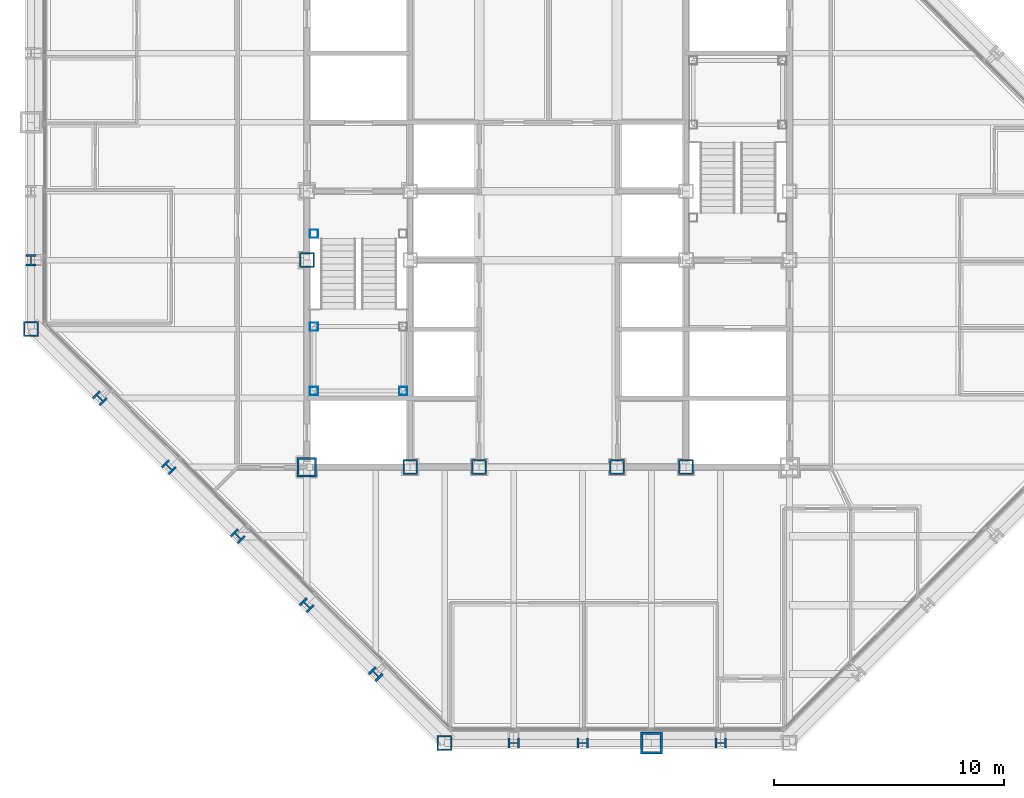
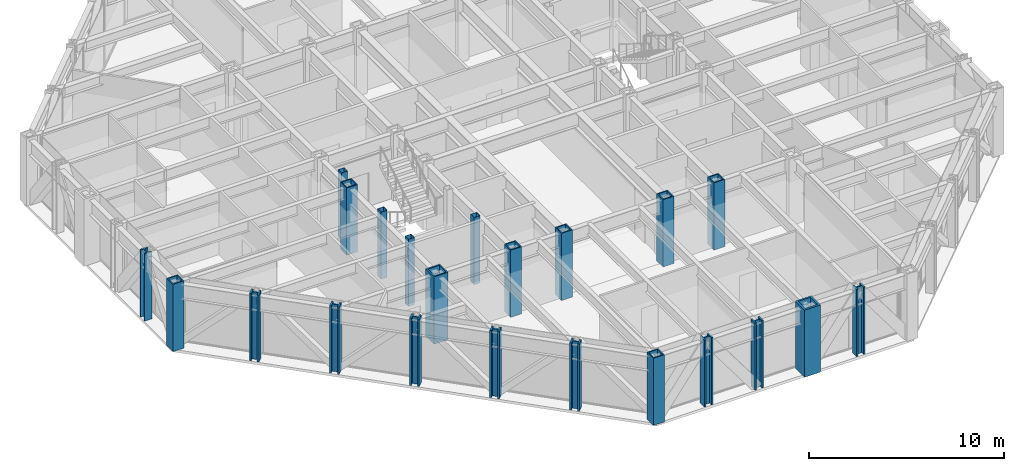
# One storey, part 1 of 16: 22 columns.
"""IFC4 building model written with IfcOpenShell, lengths in metres."""

from ifc_helpers import new_model, si_unit, direction, frame, origin, origin_2d, place, context, subcontext, project, spatial, hollow_rectangle, i_section, extrude, material, material_profile, profile_set, type_object, element, save


model = new_model("IFC4")

# Units and contexts
model_context = context("Model", 3, precision=1e-05, world=origin(), true_north=direction((0.0, 1.0)))
body_context = subcontext(model_context, "Body", "Model", "MODEL_VIEW")
ifc_project = project(units=[si_unit("LENGTHUNIT", "METRE"), si_unit("AREAUNIT", "SQUARE_METRE"), si_unit("VOLUMEUNIT", "CUBIC_METRE"), si_unit("PLANEANGLEUNIT", "RADIAN"), si_unit("MASSUNIT", "GRAM", prefix="KILO")], contexts=[model_context])

# Site, building, storey
site_placement = place(None, origin())
site = spatial("IfcSite", under=ifc_project, at=site_placement, CompositionType="ELEMENT")
building_placement = place(site_placement, origin())
building = spatial("IfcBuilding", under=site, at=building_placement, Name="Chuquiago Exchange Tower", CompositionType="ELEMENT")
storey_placement = place(building_placement, frame((0.0, 0.0, 209.699951171875)))
storey = spatial("IfcBuildingStorey", under=building, at=storey_placement, Name="L46", CompositionType="ELEMENT", Elevation=209.699951171875)

# Columns
ifc_material_1 = material(Name="Steel ASTM A992", Category="steel")
ifc_material_profile_1 = material_profile(ifc_material_1, i_section(OverallWidth=0.431884765625, OverallDepth=0.497802734375, WebThickness=0.0556640625, FlangeThickness=0.0888671875, at=origin_2d()), Name="W14X500")
ifc_profile_set_1 = profile_set([ifc_material_profile_1], Name="Steel ASTM A992")
column_type_1 = type_object("IfcColumnType", Name="C4 W14X500", PredefinedType="COLUMN", material=ifc_profile_set_1)
for number, where, z_axis, x_axis, name in (
    (1, (21.0, 0.0, 0.0), (0.0, 0.0, 1.0), (0.0, -1.0, 0.0), "COL-L46-21_0"),
    (2, (24.0, 0.0, 0.0), (0.0, 0.0, 1.0), (0.0, -1.0, 0.0), "COL-L46-24_0"),
    (3, (30.0, 0.0, 0.0), (0.0, 0.0, 1.0), (0.0, -1.0, 0.0), "COL-L46-30_0"),
    (4, (0.0, 21.0, 0.0), (0.0, 0.0, 1.0), (-1.0, 0.0, 0.0), "COL-L46-0_21"),
):
    element("IfcColumn", number, at=place(storey_placement, frame(where, z_axis=z_axis, x_axis=x_axis)), inside=storey, type_object=column_type_1, Name=name, PredefinedType="COLUMN", context=body_context, shape_type="SweptSolid", body=[
        extrude(i_section(OverallWidth=0.431884765625, OverallDepth=0.497802734375, WebThickness=0.0556640625, FlangeThickness=0.0888671875, at=origin_2d()), origin(), (0.0, 0.0, 1.0), 4.199951171875),
    ])
ifc_material_2 = material(Name="Steel ASTM A572 Grade 50", Category="steel")
ifc_material_profile_2 = material_profile(ifc_material_2, hollow_rectangle(XDim=0.64990234375, YDim=0.64990234375, WallThickness=0.06494140625, at=origin_2d()), Name="BOX650X650X65")
ifc_profile_set_2 = profile_set([ifc_material_profile_2], Name="Steel ASTM A572 Grade 50")
column_type_2 = type_object("IfcColumnType", Name="CC4 BOX650X650X65", PredefinedType="COLUMN", material=ifc_profile_set_2)
for number, where, z_axis, x_axis, name in (
    (5, (16.5, 12.0, 0.0), (0.0, 0.0, 1.0), (1.0, 0.0, 0.0), "CCOL-L46-16.5_12"),
    (6, (19.5, 12.0, 0.0), (0.0, 0.0, 1.0), (1.0, 0.0, 0.0), "CCOL-L46-19.5_12"),
    (7, (25.5, 12.0, 0.0), (0.0, 0.0, 1.0), (1.0, 0.0, 0.0), "CCOL-L46-25.5_12"),
    (8, (28.5, 12.0, 0.0), (0.0, 0.0, 1.0), (1.0, 0.0, 0.0), "CCOL-L46-28.5_12"),
    (9, (12.0, 21.0, 0.0), (0.0, 0.0, 1.0), (1.0, 0.0, 0.0), "CCOL-L46-12_21"),
):
    element("IfcColumn", number, at=place(storey_placement, frame(where, z_axis=z_axis, x_axis=x_axis)), inside=storey, type_object=column_type_2, Name=name, PredefinedType="COLUMN", context=body_context, shape_type="SweptSolid", body=[
        extrude(hollow_rectangle(XDim=0.64990234375, YDim=0.64990234375, WallThickness=0.06494140625, at=origin_2d()), origin(), (0.0, 0.0, 1.0), 4.199951171875),
    ])
ifc_material_3 = material(Name="Steel ASTM A572 Grade 50", Category="steel")
ifc_material_profile_3 = material_profile(ifc_material_3, hollow_rectangle(XDim=0.85009765625, YDim=0.85009765625, WallThickness=0.0849609375, at=origin_2d()), Name="BOX850X850X85")
ifc_profile_set_3 = profile_set([ifc_material_profile_3], Name="Steel ASTM A572 Grade 50")
column_type_3 = type_object("IfcColumnType", Name="CC6 BOX850X850X85", PredefinedType="COLUMN", material=ifc_profile_set_3)
column_1_placement = place(storey_placement, frame((12.0, 12.0, 0.0), z_axis=(0.0, 0.0, 1.0), x_axis=(1.0, 0.0, 0.0)))
element("IfcColumn", 10, at=column_1_placement, inside=storey, type_object=column_type_3, Name="CCOL-L46-12_12", PredefinedType="COLUMN", context=body_context, shape_type="SweptSolid", body=[
    extrude(hollow_rectangle(XDim=0.85009765625, YDim=0.85009765625, WallThickness=0.0849609375, at=origin_2d()), origin(), (0.0, 0.0, 1.0), 4.199951171875),
])
ifc_material_4 = material(Name="Steel ASTM A992", Category="steel")
ifc_material_profile_4 = material_profile(ifc_material_4, i_section(OverallWidth=0.436767578125, OverallDepth=0.51318359375, WebThickness=0.060546875, FlangeThickness=0.096923828125, at=origin_2d()), Name="W14X550")
ifc_profile_set_4 = profile_set([ifc_material_profile_4], Name="Steel ASTM A992")
column_type_4 = type_object("IfcColumnType", Name="CK4 W14X550", PredefinedType="COLUMN", material=ifc_profile_set_4)
for number, where, z_axis, x_axis, name in (
    (11, (3.0, 15.0, 0.0), (0.0, 0.0, 1.0), (-0.707106781187, -0.707106781187, 0.0), "COL-L46-3_15"),
    (12, (6.0, 12.0, 0.0), (0.0, 0.0, 1.0), (-0.707106781187, -0.707106781187, 0.0), "COL-L46-6_12"),
    (13, (9.0, 9.0, 0.0), (0.0, 0.0, 1.0), (-0.707106781187, -0.707106781187, 0.0), "COL-L46-9_9"),
    (14, (12.0, 6.0, 0.0), (0.0, 0.0, 1.0), (-0.707106781187, -0.707106781187, 0.0), "COL-L46-12_6"),
    (15, (15.0, 3.0, 0.0), (0.0, 0.0, 1.0), (-0.707106781187, -0.707106781187, 0.0), "COL-L46-15_3"),
):
    element("IfcColumn", number, at=place(storey_placement, frame(where, z_axis=z_axis, x_axis=x_axis)), inside=storey, type_object=column_type_4, Name=name, PredefinedType="COLUMN", context=body_context, shape_type="SweptSolid", body=[
        extrude(i_section(OverallWidth=0.436767578125, OverallDepth=0.51318359375, WebThickness=0.060546875, FlangeThickness=0.096923828125, at=origin_2d()), origin(), (0.0, 0.0, 1.0), 4.199951171875),
    ])
ifc_material_5 = material(Name="Steel ASTM A572 Grade 50", Category="steel")
ifc_material_profile_5 = material_profile(ifc_material_5, hollow_rectangle(XDim=0.64990234375, YDim=0.64990234375, WallThickness=0.06494140625, at=origin_2d()), Name="BOX650X650X65")
ifc_profile_set_5 = profile_set([ifc_material_profile_5], Name="Steel ASTM A572 Grade 50")
column_type_5 = type_object("IfcColumnType", Name="CN2 BOX650X650X65", PredefinedType="COLUMN", material=ifc_profile_set_5)
for number, where, z_axis, x_axis, name in (
    (16, (18.0, 0.0, 0.0), (0.0, 0.0, 1.0), (0.0, -1.0, 0.0), "COL-L46-18_0"),
    (17, (0.0, 18.0, 0.0), (0.0, 0.0, 1.0), (-1.0, 0.0, 0.0), "COL-L46-0_18"),
):
    element("IfcColumn", number, at=place(storey_placement, frame(where, z_axis=z_axis, x_axis=x_axis)), inside=storey, type_object=column_type_5, Name=name, PredefinedType="COLUMN", context=body_context, shape_type="SweptSolid", body=[
        extrude(hollow_rectangle(XDim=0.64990234375, YDim=0.64990234375, WallThickness=0.06494140625, at=origin_2d()), origin(), (0.0, 0.0, 1.0), 4.199951171875),
    ])
ifc_material_6 = material(Name="Steel ASTM A572 Grade 42", Category="steel")
ifc_material_profile_6 = material_profile(ifc_material_6, hollow_rectangle(XDim=0.949951171875, YDim=0.949951171875, WallThickness=0.110107421875, at=origin_2d()), Name="BOX950X950X110")
ifc_profile_set_6 = profile_set([ifc_material_profile_6], Name="Steel ASTM A572 Grade 42")
column_type_6 = type_object("IfcColumnType", Name="CT1 BOX950X950X110", PredefinedType="COLUMN", material=ifc_profile_set_6)
column_2_placement = place(storey_placement, frame((27.0, 0.0, 0.0), z_axis=(0.0, 0.0, 1.0), x_axis=(0.0, -1.0, 0.0)))
element("IfcColumn", 18, at=column_2_placement, inside=storey, type_object=column_type_6, Name="COL-L46-27_0", PredefinedType="COLUMN", context=body_context, shape_type="SweptSolid", body=[
    extrude(hollow_rectangle(XDim=0.949951171875, YDim=0.949951171875, WallThickness=0.110107421875, at=origin_2d()), origin(), (0.0, 0.0, 1.0), 4.199951171875),
])
ifc_material_7 = material(Name="Steel ASTM A500 Grade C", Category="steel")
ifc_material_profile_7 = material_profile(ifc_material_7, hollow_rectangle(XDim=0.355712890625, YDim=0.355712890625, WallThickness=0.0087890625, at=origin_2d()), Name="HSS14X14X3/8")
ifc_profile_set_7 = profile_set([ifc_material_profile_7], Name="Steel ASTM A500 Grade C")
column_type_7 = type_object("IfcColumnType", Name="PT1 HSS14X14X3/8", PredefinedType="COLUMN", material=ifc_profile_set_7)
for number, where, z_axis, x_axis, name in (
    (19, (12.31005859375, 15.31005859375, 0.0), (0.0, 0.0, 1.0), (1.0, 0.0, 0.0), "Stair ST1 L46 landing post"),
    (20, (16.18994140625, 15.31005859375, 0.0), (0.0, 0.0, 1.0), (1.0, 0.0, 0.0), "Stair ST1 L46 landing post"),
    (21, (12.31005859375, 18.110107421875, 0.0), (0.0, 0.0, 1.0), (1.0, 0.0, 0.0), "Stair ST1 L46 landing post"),
    (22, (12.31005859375, 22.14990234375, 0.0), (0.0, 0.0, 1.0), (1.0, 0.0, 0.0), "Stair ST1 L46 landing post"),
):
    element("IfcColumn", number, at=place(storey_placement, frame(where, z_axis=z_axis, x_axis=x_axis)), inside=storey, type_object=column_type_7, Name=name, PredefinedType="COLUMN", context=body_context, shape_type="SweptSolid", body=[
        extrude(hollow_rectangle(XDim=0.355712890625, YDim=0.355712890625, WallThickness=0.0087890625, at=origin_2d()), origin(), (0.0, 0.0, 1.0), 4.199951171875),
    ])

save(model, "model.ifc")
